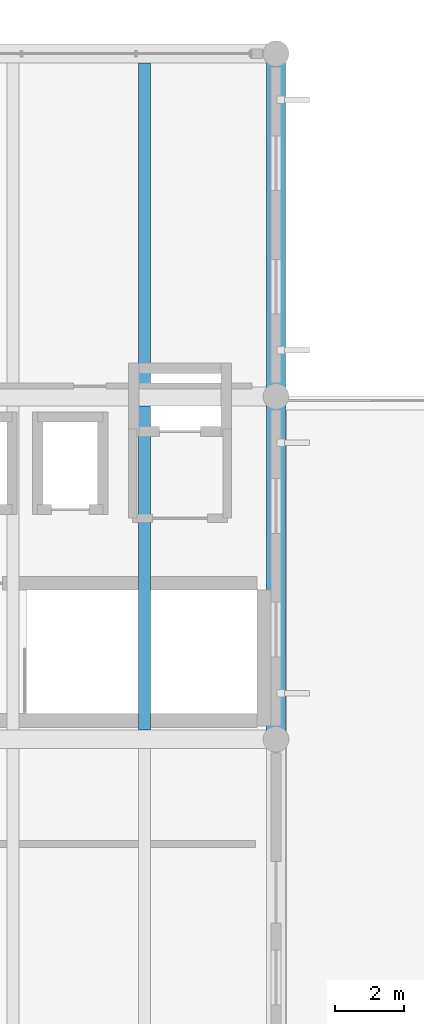
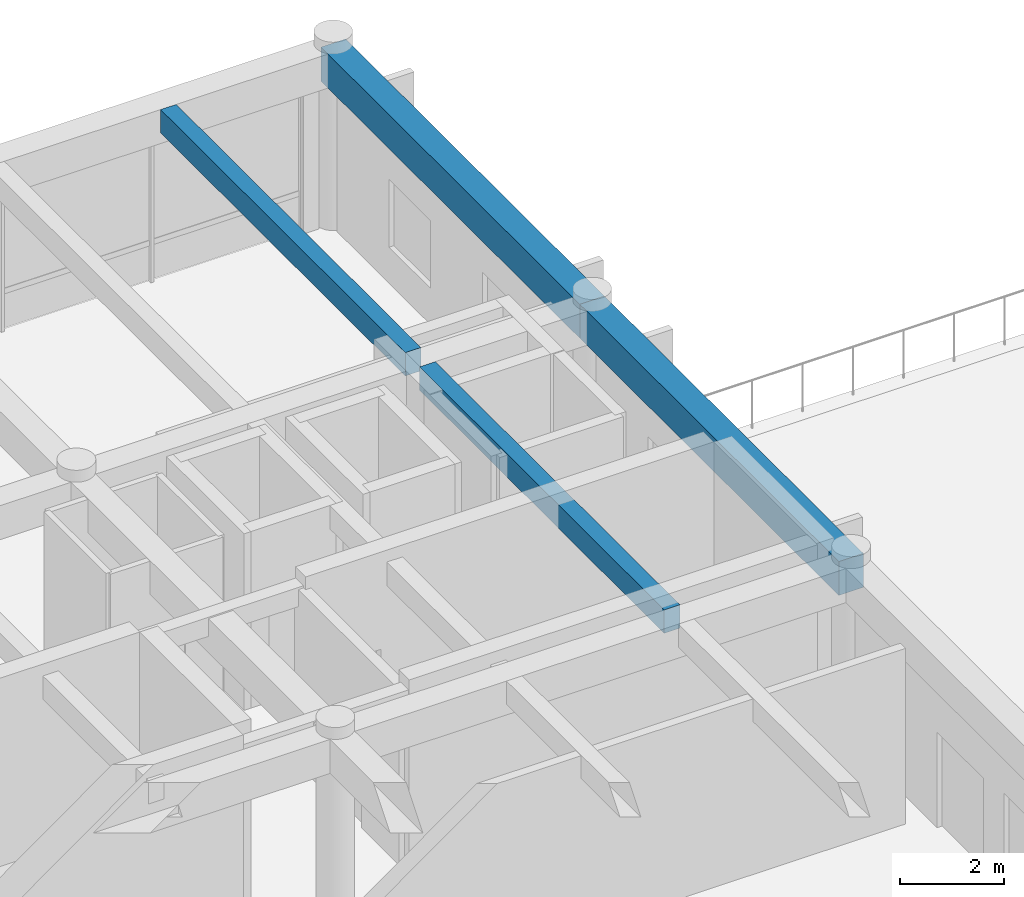
# One storey, part 19 of 27: 4 beams.
"""IFC4 building model written with IfcOpenShell, lengths in metres."""

from ifc_helpers import new_model, si_unit, direction, frame, origin, origin_2d, place, context, subcontext, project, spatial, rectangle, extrude, material, material_profile, profile_set, type_object, element, save


model = new_model("IFC4")

# Units and contexts
model_context = context("Model", 3, precision=1e-05, world=origin(), true_north=direction((0.0, 1.0)))
body_context = subcontext(model_context, "Body", "Model", "MODEL_VIEW")
ifc_project = project(units=[si_unit("LENGTHUNIT", "METRE"), si_unit("AREAUNIT", "SQUARE_METRE"), si_unit("VOLUMEUNIT", "CUBIC_METRE"), si_unit("PLANEANGLEUNIT", "RADIAN"), si_unit("MASSUNIT", "GRAM", prefix="KILO")], contexts=[model_context])

# Site, building, storey
site_placement = place(None, origin())
site = spatial("IfcSite", under=ifc_project, at=site_placement, CompositionType="ELEMENT")
building_placement = place(site_placement, origin())
building = spatial("IfcBuilding", under=site, at=building_placement, Name="Ologun Quay Terminus", CompositionType="ELEMENT")
storey_placement = place(building_placement, frame((0.0, 0.0, 22.4599609375)))
storey = spatial("IfcBuildingStorey", under=building, at=storey_placement, Name="L05", CompositionType="ELEMENT", Elevation=22.4599609375)

# Beams
ifc_material_1 = material(Name="Concrete C40/50", Category="concrete")
ifc_material_profile_1 = material_profile(ifc_material_1, rectangle(XDim=0.550048828125, YDim=0.800048828125, at=origin_2d()), Name="RC 550x800")
ifc_profile_set_1 = profile_set([ifc_material_profile_1], Name="Concrete C40/50")
beam_type_1 = type_object("IfcBeamType", Name="Courtyard Wing Primary Girder 550x800", PredefinedType="BEAM", material=ifc_profile_set_1)
for number, where, z_axis, x_axis, name in (
    (1, (149.5, 94.800048828125, 3.760009765625), (0.0, 1.0, 0.0), (-1.0, 0.0, 0.0), "B4 Beam 14/H L05"),
    (2, (149.5, 104.800048828125, 3.760009765625), (0.0, 1.0, 0.0), (-1.0, 0.0, 0.0), "B4 Beam 14/J L05"),
):
    element("IfcBeam", number, at=place(storey_placement, frame(where, z_axis=z_axis, x_axis=x_axis)), inside=storey, type_object=beam_type_1, Name=name, PredefinedType="BEAM", context=body_context, shape_type="SweptSolid", body=[
        extrude(rectangle(XDim=0.550048828125, YDim=0.800048828125, at=origin_2d()), origin(), (0.0, 0.0, 1.0), 10.0),
    ])
ifc_material_2 = material(Name="Concrete C40/50", Category="concrete")
ifc_material_profile_2 = material_profile(ifc_material_2, rectangle(XDim=0.35009765625, YDim=0.550048828125, at=origin_2d()), Name="RC 350x550")
ifc_profile_set_2 = profile_set([ifc_material_profile_2], Name="Concrete C40/50")
beam_type_2 = type_object("IfcBeamType", Name="Courtyard Wing Secondary Joist 350x550", PredefinedType="JOIST", material=ifc_profile_set_2)
for number, where, z_axis, x_axis, name in (
    (3, (145.666748046875, 95.074951171875, 3.885009765625), (0.0, 1.0, 0.0), (-1.0, 0.0, 0.0), "J2 Beam 13/H L05"),
    (4, (145.666748046875, 105.074951171875, 3.885009765625), (0.0, 1.0, 0.0), (-1.0, 0.0, 0.0), "J2 Beam 13/J L05"),
):
    element("IfcBeam", number, at=place(storey_placement, frame(where, z_axis=z_axis, x_axis=x_axis)), inside=storey, type_object=beam_type_2, Name=name, PredefinedType="JOIST", context=body_context, shape_type="SweptSolid", body=[
        extrude(rectangle(XDim=0.35009765625, YDim=0.550048828125, at=origin_2d()), origin(), (0.0, 0.0, 1.0), 9.449951171875),
    ])

save(model, "model.ifc")
